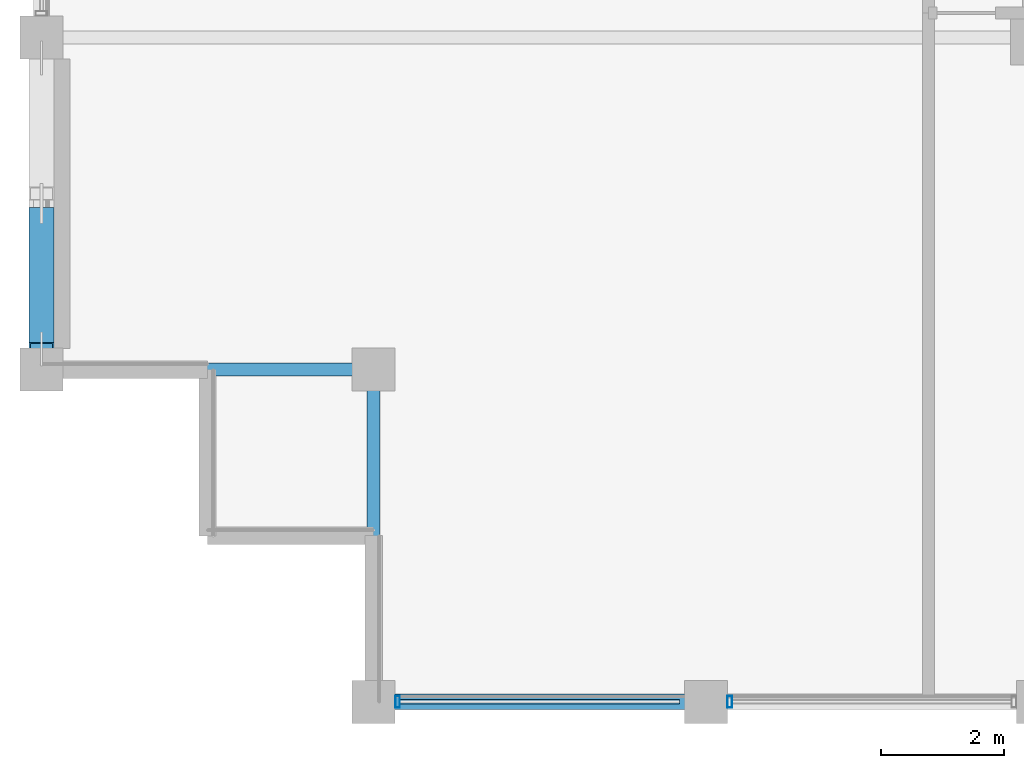
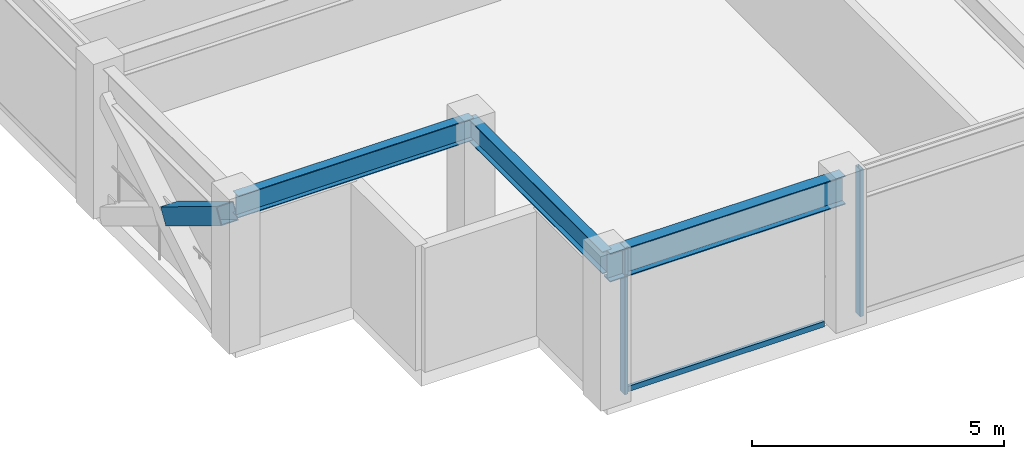
# One storey, part 2 of 34: 4 members, 3 beams, 1 element without a shape of its own.
"""IFC4 building model written with IfcOpenShell, lengths in metres."""

import ifcopenshell
import ifcopenshell.guid

model = None  # the IFC model being written
_history = None  # IfcOwnerHistory: only IFC2X3 demands one
_inside = {}  # id of a spatial element -> (the spatial element, [elements in it])
_under = {}  # id of a project, library or spatial element -> (it, [spatial elements below it])
_declared = {}  # id of a project -> (the project, [libraries it declares])
_typed = {}  # id of a type object -> (the type object, [elements of that type])
_made_of = {}  # id of a material, layer set ... -> (it, [elements and type objects made of it])


def new_model(schema):
    """Start an empty IFC model of exactly this schema.

    Asked for "IFC4X3", IfcOpenShell would pick the latest addendum, in which some entities
    have other attributes; the version numbers below select the first issue.
    IFC2X3 requires an IfcOwnerHistory on every rooted entity: one is made here for all.
    """
    global model, _history
    if schema == "IFC4X3":
        model = ifcopenshell.file(schema_version=(4, 3, 0, 0))
    else:
        model = ifcopenshell.file(schema=schema)
    _inside.clear()
    _under.clear()
    _declared.clear()
    _typed.clear()
    _made_of.clear()
    _history = None
    if model.schema == "IFC2X3":
        org = make("IfcOrganization", Name="unknown")
        user = make(
            "IfcPersonAndOrganization",
            ThePerson=make("IfcPerson", FamilyName="unknown"),
            TheOrganization=org,
        )
        app = make(
            "IfcApplication",
            ApplicationDeveloper=org,
            Version="unknown",
            ApplicationFullName="unknown",
            ApplicationIdentifier="unknown",
        )
        _history = make(
            "IfcOwnerHistory",
            OwningUser=user,
            OwningApplication=app,
            ChangeAction="ADDED",
            CreationDate=0,
        )
    return model


def make(cls, **values):
    """One entity of the class cls with the attributes given. An attribute that is None is left unset."""
    return model.create_entity(
        cls, **{name: value for name, value in values.items() if value is not None}
    )


def rooted(cls, **values):
    """An entity with a GlobalId (a new one), such as an element, a storey or a relation."""
    return make(cls, GlobalId=ifcopenshell.guid.new(), OwnerHistory=_history, **values)


def si_unit(unit_type, name, prefix=None):
    """IfcSIUnit, for example si_unit("LENGTHUNIT", "METRE", prefix="MILLI")."""
    return make("IfcSIUnit", UnitType=unit_type, Prefix=prefix, Name=name)


def assignment(units):
    """IfcUnitAssignment: the units of a project."""
    return None if units is None else make("IfcUnitAssignment", Units=units)


def point(xyz):
    """IfcCartesianPoint."""
    return None if xyz is None else make("IfcCartesianPoint", Coordinates=xyz)


def direction(xyz):
    """IfcDirection."""
    return None if xyz is None else make("IfcDirection", DirectionRatios=xyz)


def frame(location, z_axis=None, x_axis=None):
    """IfcAxis2Placement3D, a coordinate frame: its origin and axes. An axis left out is left unset."""
    return make(
        "IfcAxis2Placement3D",
        Location=point(location),
        Axis=direction(z_axis),
        RefDirection=direction(x_axis),
    )


def frame_2d(location, x_axis=None):
    """IfcAxis2Placement2D, a coordinate frame in the plane: its origin and x axis."""
    return make(
        "IfcAxis2Placement2D", Location=point(location), RefDirection=direction(x_axis)
    )


def origin():
    """The frame at (0, 0, 0) with its axes left unset."""
    return frame((0.0, 0.0, 0.0))


def origin_2d():
    """The frame at (0, 0) in the plane with its x axis left unset."""
    return frame_2d((0.0, 0.0))


def place(relative_to, where):
    """IfcLocalPlacement: puts the frame where relative to a parent placement (None: the world)."""
    return make(
        "IfcLocalPlacement", PlacementRelTo=relative_to, RelativePlacement=where
    )


def context(
    kind, dimensions, precision=None, world=None, true_north=None, identifier=None
):
    """IfcGeometricRepresentationContext, for example the 3D "Model" context."""
    return make(
        "IfcGeometricRepresentationContext",
        ContextIdentifier=identifier,
        ContextType=kind,
        CoordinateSpaceDimension=dimensions,
        Precision=precision,
        WorldCoordinateSystem=world,
        TrueNorth=true_north,
    )


def subcontext(parent, identifier, kind, view, scale=None):
    """IfcGeometricRepresentationSubContext, for example "Body" below "Model"."""
    return make(
        "IfcGeometricRepresentationSubContext",
        ContextIdentifier=identifier,
        ContextType=kind,
        ParentContext=parent,
        TargetScale=scale,
        TargetView=view,
    )


def project(units=None, contexts=None):
    """IfcProject with its units and contexts."""
    return rooted(
        "IfcProject",
        Name="project",
        RepresentationContexts=contexts,
        UnitsInContext=assignment(units),
    )


def spatial(cls, under=None, at=None, **own):
    """A site, building, storey or space (cls), placed at a placement, below another one or the project."""
    s = rooted(cls, ObjectPlacement=at, **own)
    if under is not None:
        _under.setdefault(under.id(), (under, []))[1].append(s)
    return s


def profile(cls, at=None, kind="AREA", **sizes):
    """A parametric profile (cls). Its sizes go by their IFC names, for example OverallWidth=200.0."""
    return make(cls, ProfileType=kind, Position=at, **sizes)


def hollow_rectangle(**sizes):
    """IfcRectangleHollowProfileDef."""
    return profile("IfcRectangleHollowProfileDef", **sizes)


def i_section(**sizes):
    """IfcIShapeProfileDef."""
    return profile("IfcIShapeProfileDef", **sizes)


def extrude(swept, where, along, depth):
    """IfcExtrudedAreaSolid: the profile swept, set in the frame where, extruded along a direction by depth."""
    return make(
        "IfcExtrudedAreaSolid",
        SweptArea=swept,
        Position=where,
        ExtrudedDirection=direction(along),
        Depth=depth,
    )


def shape(context_of_items, identifier, shape_type, items):
    """IfcShapeRepresentation: the items that make up one representation, for example the "Body"."""
    return make(
        "IfcShapeRepresentation",
        ContextOfItems=context_of_items,
        RepresentationIdentifier=identifier,
        RepresentationType=shape_type,
        Items=items,
    )


def material(Name=None, Category=None):
    """IfcMaterial."""
    return make("IfcMaterial", Name=Name, Category=Category)


def layer(
    of_material, thickness, ventilated=None, Name=None, Category=None, Priority=None
):
    """IfcMaterialLayer: one layer of a wall or slab, of a material (None: an air gap)."""
    return make(
        "IfcMaterialLayer",
        Material=of_material,
        LayerThickness=thickness,
        IsVentilated=ventilated,
        Name=Name,
        Category=Category,
        Priority=Priority,
    )


def layer_set(layers, Name=None):
    """IfcMaterialLayerSet."""
    return make("IfcMaterialLayerSet", MaterialLayers=layers, LayerSetName=Name)


def material_profile(
    of_material, cross_section, Name=None, Category=None, Priority=None
):
    """IfcMaterialProfile: a cross section and its material."""
    return make(
        "IfcMaterialProfile",
        Name=Name,
        Material=of_material,
        Profile=cross_section,
        Priority=Priority,
        Category=Category,
    )


def profile_set(profiles, Name=None, composite=None):
    """IfcMaterialProfileSet."""
    return make(
        "IfcMaterialProfileSet",
        Name=Name,
        MaterialProfiles=profiles,
        CompositeProfile=composite,
    )


def made_of(thing, what):
    """Note that an element or type object is made of a material, layer set ...; save() writes the relation."""
    if what is not None:
        _made_of.setdefault(what.id(), (what, []))[1].append(thing)
    return thing


def type_object(cls, material=None, **own):
    """A type object (cls), such as IfcWallType, which elements share."""
    return made_of(rooted(cls, **own), material)


def element(
    cls,
    number,
    at=None,
    inside=None,
    cuts=None,
    type_object=None,
    material=None,
    context=None,
    identifier="Body",
    shape_type=None,
    held_by="IfcProductDefinitionShape",
    body=None,
    shapes=None,
    **own,
):
    """One element of the class cls, such as IfcWall. Its Tag is "e" and its number.

    at: its placement. inside: the storey or other place that contains it. cuts: it is an
    opening in that element (IfcRelVoidsElement). A single representation is given by context,
    identifier, shape_type and body (its items); several are given by shapes. held_by: the class
    of the entity that holds the representations. save() writes the other relations.
    """
    e = rooted(cls, Tag="e%d" % number, ObjectPlacement=at, **own)
    if body is not None:
        shapes = [shape(context, identifier, shape_type, body)]
    if shapes is not None:
        e.Representation = make(held_by, Representations=shapes)
    if inside is not None:
        _inside.setdefault(inside.id(), (inside, []))[1].append(e)
    if cuts is not None:
        rooted(
            "IfcRelVoidsElement", RelatingBuildingElement=cuts, RelatedOpeningElement=e
        )
    if type_object is not None:
        _typed.setdefault(type_object.id(), (type_object, []))[1].append(e)
    return made_of(e, material)


def aggregate(whole, parts):
    """IfcRelAggregates: a whole, such as a stair, and the parts it consists of."""
    return rooted("IfcRelAggregates", RelatingObject=whole, RelatedObjects=parts)


def save(model, path):
    """Write the relations noted so far, then the file.

    IfcRelAggregates (storeys below a building ...), IfcRelContainedInSpatialStructure (elements
    in a storey), IfcRelDefinesByType, IfcRelAssociatesMaterial and IfcRelDeclares: one each for
    every whole, place, type object, material and project.
    """
    for whole, parts in _under.values():
        aggregate(whole, parts)
    for where, things in _inside.values():
        rooted(
            "IfcRelContainedInSpatialStructure",
            RelatedElements=things,
            RelatingStructure=where,
        )
    for kind, things in _typed.values():
        rooted("IfcRelDefinesByType", RelatedObjects=things, RelatingType=kind)
    for what, things in _made_of.values():
        rooted("IfcRelAssociatesMaterial", RelatedObjects=things, RelatingMaterial=what)
    for by, libraries in _declared.values():
        rooted("IfcRelDeclares", RelatingContext=by, RelatedDefinitions=libraries)
    model.write(path)


model = new_model("IFC4")

# Units and contexts
model_context = context("Model", 3, precision=1e-05, world=origin(), true_north=direction((0.0, 1.0)))
body_context = subcontext(model_context, "Body", "Model", "MODEL_VIEW")
ifc_project = project(units=[si_unit("LENGTHUNIT", "METRE"), si_unit("AREAUNIT", "SQUARE_METRE"), si_unit("VOLUMEUNIT", "CUBIC_METRE"), si_unit("PLANEANGLEUNIT", "RADIAN"), si_unit("MASSUNIT", "GRAM", prefix="KILO")], contexts=[model_context])

# Site, building, storey
site_placement = place(None, origin())
site = spatial("IfcSite", under=ifc_project, at=site_placement, CompositionType="ELEMENT")
building_placement = place(site_placement, origin())
building = spatial("IfcBuilding", under=site, at=building_placement, Name="Surkhivell Harbour Commons", CompositionType="ELEMENT")
storey_placement = place(building_placement, frame((0.0, 0.0, 258.75)))
storey = spatial("IfcBuildingStorey", under=building, at=storey_placement, Name="L67", CompositionType="ELEMENT", Elevation=258.75)

# Beams
ifc_material_1 = material(Name="Steel S355", Category="steel")
ifc_material_profile_1 = material_profile(ifc_material_1, i_section(OverallWidth=0.2099609375, OverallDepth=0.537109375, WebThickness=0.0107421875, FlangeThickness=0.017333984375, at=origin_2d()), Name="UB533x210x101")
ifc_profile_set_1 = profile_set([ifc_material_profile_1], Name="Steel S355")
beam_type_1 = type_object("IfcBeamType", Name="BM-GRD-533B", PredefinedType="BEAM", material=ifc_profile_set_1)
beam_1_placement = place(storey_placement, frame((-27.0, -16.199951171875, 3.301513671875), z_axis=(1.0, 0.0, 0.0), x_axis=(0.0, 1.0, 0.0)))
element("IfcBeam", 1, at=beam_1_placement, inside=storey, type_object=beam_type_1, Name="L67 Floor Girder (-27.0,-16.2)", PredefinedType="BEAM", context=body_context, shape_type="SweptSolid", body=[
    extrude(i_section(OverallWidth=0.2099609375, OverallDepth=0.537109375, WebThickness=0.0107421875, FlangeThickness=0.017333984375, at=origin_2d()), origin(), (0.0, 0.0, 1.0), 5.39990234375),
])
beam_2_placement = place(storey_placement, frame((-21.60009765625, -21.60009765625, 3.301513671875), z_axis=(0.0, 1.0, 0.0), x_axis=(-1.0, 0.0, 0.0)))
element("IfcBeam", 2, at=beam_2_placement, inside=storey, type_object=beam_type_1, Name="L67 Floor Girder (-21.6,-21.6)", PredefinedType="BEAM", context=body_context, shape_type="SweptSolid", body=[
    extrude(i_section(OverallWidth=0.2099609375, OverallDepth=0.537109375, WebThickness=0.0107421875, FlangeThickness=0.017333984375, at=origin_2d()), origin(), (0.0, 0.0, 1.0), 5.400146484375),
])
ifc_material_profile_2 = material_profile(ifc_material_1, i_section(OverallWidth=0.256103515625, OverallDepth=0.693115234375, WebThickness=0.014404296875, FlangeThickness=0.023681640625, at=origin_2d()), Name="UB686x254x170")
ifc_profile_set_2 = profile_set([ifc_material_profile_2], Name="Steel S355")
beam_type_2 = type_object("IfcBeamType", Name="BM-SPN-686", PredefinedType="SPANDREL", material=ifc_profile_set_2)
beam_3_placement = place(storey_placement, frame((-21.60009765625, -21.60009765625, 3.223388671875), z_axis=(1.0, 0.0, 0.0), x_axis=(0.0, 1.0, 0.0)))
element("IfcBeam", 3, at=beam_3_placement, inside=storey, type_object=beam_type_2, Name="L67 Tube Spandrel (-21.6,-21.6)", PredefinedType="SPANDREL", context=body_context, shape_type="SweptSolid", body=[
    extrude(i_section(OverallWidth=0.256103515625, OverallDepth=0.693115234375, WebThickness=0.014404296875, FlangeThickness=0.023681640625, at=origin_2d()), origin(), (0.0, 0.0, 1.0), 5.400146484375),
])

# Curtain wall, members
ifc_material_2 = material(Name="Anodised pale-metal aluminium and insulated glazing", Category="aluminium")
ifc_layer = layer(ifc_material_2, 0.175048828125)
ifc_layer_set = layer_set([ifc_layer], Name="Anodised pale-metal aluminium and insulated glazing")
curtain_wall_type = type_object("IfcCurtainWallType", Name="CW-SYS-Z4", PredefinedType="NOTDEFINED", material=ifc_layer_set)
curtain_wall_placement = place(storey_placement, origin())
curtain_wall = element("IfcCurtainWall", 4, at=curtain_wall_placement, inside=storey, type_object=curtain_wall_type, Name="L67 Curtain Wall CW-L67-E00S1", PredefinedType="NOTDEFINED")
ifc_material_3 = material(Name="Anodised pale-metal aluminium alloy 6063-T6", Category="aluminium")
ifc_material_profile_3 = material_profile(ifc_material_3, hollow_rectangle(XDim=0.074951171875, YDim=0.18994140625, WallThickness=0.00390625, at=origin_2d()), Name="ALU-MULL-75x190")
ifc_profile_set_3 = profile_set([ifc_material_profile_3], Name="Anodised pale-metal aluminium alloy 6063-T6")
member_type_1 = type_object("IfcMemberType", Name="CWM-190", PredefinedType="MULLION", material=ifc_profile_set_3)
member_1_placement = place(storey_placement, frame((-21.21044921875, -21.60009765625, 0.0), z_axis=(0.0, 0.0, 1.0), x_axis=(1.0, 0.0, 0.0)))
member_1 = element("IfcMember", 5, at=member_1_placement, type_object=member_type_1, Name="CW-Z4 mullion 1", PredefinedType="MULLION", context=body_context, shape_type="SweptSolid", body=[
    extrude(hollow_rectangle(XDim=0.074951171875, YDim=0.18994140625, WallThickness=0.00390625, at=origin_2d()), origin(), (0.0, 0.0, 1.0), 3.570068359375),
])
member_2_placement = place(storey_placement, frame((-15.810546875, -21.60009765625, 0.0), z_axis=(0.0, 0.0, 1.0), x_axis=(1.0, 0.0, 0.0)))
member_2 = element("IfcMember", 6, at=member_2_placement, type_object=member_type_1, Name="CW-Z4 mullion 2", PredefinedType="MULLION", context=body_context, shape_type="SweptSolid", body=[
    extrude(hollow_rectangle(XDim=0.074951171875, YDim=0.18994140625, WallThickness=0.00390625, at=origin_2d()), origin(), (0.0, 0.0, 1.0), 3.570068359375),
])
ifc_material_4 = material(Name="Champagne anodised aluminium alloy 6063-T6", Category="aluminium")
ifc_material_profile_4 = material_profile(ifc_material_4, hollow_rectangle(XDim=0.070068359375, YDim=0.1298828125, WallThickness=0.00341796875, at=origin_2d()), Name="ALU-TRAN-70x130")
ifc_profile_set_4 = profile_set([ifc_material_profile_4], Name="Champagne anodised aluminium alloy 6063-T6")
member_type_2 = type_object("IfcMemberType", Name="CWT-130", PredefinedType="USERDEFINED", material=ifc_profile_set_4)
member_3_placement = place(storey_placement, frame((-21.173095703125, -21.60009765625, 0.06494140625), z_axis=(1.0, 0.0, 0.0), x_axis=(0.0, 1.0, 0.0)))
member_3 = element("IfcMember", 7, at=member_3_placement, type_object=member_type_2, Name="CW-Z4 transom 1.1", ObjectType="TRANSOM", PredefinedType="USERDEFINED", context=body_context, shape_type="SweptSolid", body=[
    extrude(hollow_rectangle(XDim=0.070068359375, YDim=0.1298828125, WallThickness=0.00341796875, at=origin_2d()), origin(), (0.0, 0.0, 1.0), 4.546142578125),
])
aggregate(curtain_wall, [member_1, member_3, member_2])

# Member
ifc_material_5 = material(Name="Steel S460", Category="steel")
ifc_material_profile_5 = material_profile(ifc_material_5, hollow_rectangle(XDim=0.39990234375, YDim=0.39990234375, WallThickness=0.02001953125, at=origin_2d()), Name="SHS400x400x20")
ifc_profile_set_5 = profile_set([ifc_material_profile_5], Name="Steel S460")
member_type_3 = type_object("IfcMemberType", Name="MEM-BRC-SHS400", PredefinedType="BRACE", material=ifc_profile_set_5)
member_4_placement = place(storey_placement, frame((-27.0, -13.6640625, 1.544189453125), z_axis=(0.0, -0.854677846108, 0.519158722716), x_axis=(1.0, 0.0, 0.0)))
element("IfcMember", 8, at=member_4_placement, inside=storey, type_object=member_type_3, Name="L67 Perimeter Mega-Brace MB- 12", PredefinedType="BRACE", context=body_context, shape_type="SweptSolid", body=[
    extrude(hollow_rectangle(XDim=0.39990234375, YDim=0.39990234375, WallThickness=0.02001953125, at=origin_2d()), origin(), (0.0, 0.0, 1.0), 2.5751953125),
])

save(model, "model.ifc")
